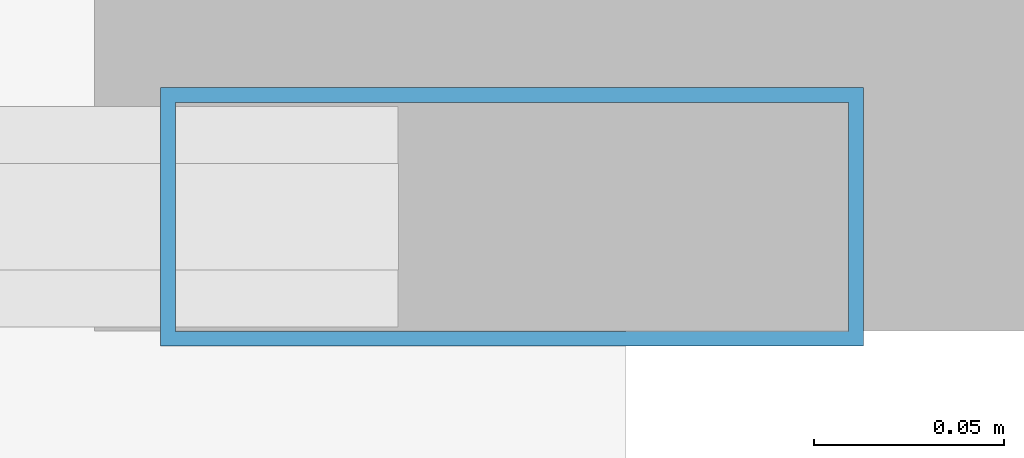
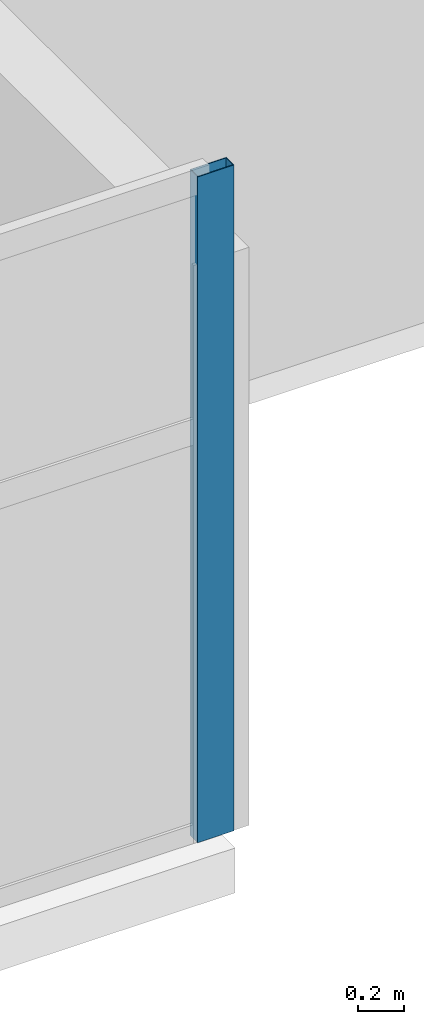
# One storey, part 15 of 30: 1 member, 1 element without a shape of its own.
"""IFC4 building model written with IfcOpenShell, lengths in metres."""

from ifc_helpers import new_model, si_unit, direction, frame, origin, origin_2d, place, context, subcontext, project, spatial, hollow_rectangle, extrude, material, layer, layer_set, material_profile, profile_set, type_object, element, aggregate, save


model = new_model("IFC4")

# Units and contexts
model_context = context("Model", 3, precision=1e-05, world=origin(), true_north=direction((0.0, 1.0)))
body_context = subcontext(model_context, "Body", "Model", "MODEL_VIEW")
ifc_project = project(units=[si_unit("LENGTHUNIT", "METRE"), si_unit("AREAUNIT", "SQUARE_METRE"), si_unit("VOLUMEUNIT", "CUBIC_METRE"), si_unit("PLANEANGLEUNIT", "RADIAN"), si_unit("MASSUNIT", "GRAM", prefix="KILO")], contexts=[model_context])

# Site, building, storey
site_placement = place(None, origin())
site = spatial("IfcSite", under=ifc_project, at=site_placement, CompositionType="ELEMENT")
building_placement = place(site_placement, origin())
building = spatial("IfcBuilding", under=site, at=building_placement, Name="Calvorn Quay Hotel", CompositionType="ELEMENT")
storey_placement = place(building_placement, frame((0.0, 0.0, 203.39990234375)))
storey = spatial("IfcBuildingStorey", under=building, at=storey_placement, Name="L50", CompositionType="ELEMENT", Elevation=203.39990234375)

# Curtain wall, member
ifc_material_1 = material(Name="Champagne Bronze Anodised Aluminium and Low-E Glass", Category="aluminium")
ifc_layer = layer(ifc_material_1, 0.219970703125)
ifc_layer_set = layer_set([ifc_layer], Name="CW-SYS-Z3")
curtain_wall_type = type_object("IfcCurtainWallType", Name="CW-SYS-Z3", PredefinedType="NOTDEFINED", material=ifc_layer_set)
curtain_wall_placement = place(storey_placement, origin())
curtain_wall = element("IfcCurtainWall", 1, at=curtain_wall_placement, inside=storey, type_object=curtain_wall_type, Name="Tower South Waterfront Curtain Wall (L50)", PredefinedType="NOTDEFINED")
ifc_material_2 = material(Name="Champagne Bronze Anodised Aluminium 6063-T6", Category="aluminium")
ifc_material_profile = material_profile(ifc_material_2, hollow_rectangle(XDim=0.068115234375, YDim=0.18505859375, WallThickness=0.00390625, at=origin_2d()), Name="ALU-M185x68x4")
ifc_profile_set = profile_set([ifc_material_profile], Name="Champagne Bronze Anodised Aluminium 6063-T6")
member_type = type_object("IfcMemberType", Name="CW-SYS-Z3-MUL", PredefinedType="MULLION", material=ifc_profile_set)
member_placement = place(storey_placement, frame((48.969970703125, 2.550048828125, 0.0), z_axis=(0.0, 0.0, 1.0), x_axis=(0.0, 1.0, 0.0)))
member = element("IfcMember", 2, at=member_placement, type_object=member_type, Name="CW-L50-S mullion 6", PredefinedType="MULLION", context=body_context, shape_type="SweptSolid", body=[
    extrude(hollow_rectangle(XDim=0.068115234375, YDim=0.18505859375, WallThickness=0.00390625, at=origin_2d()), origin(), (0.0, 0.0, 1.0), 3.56005859375),
])
aggregate(curtain_wall, [member])

save(model, "model.ifc")
